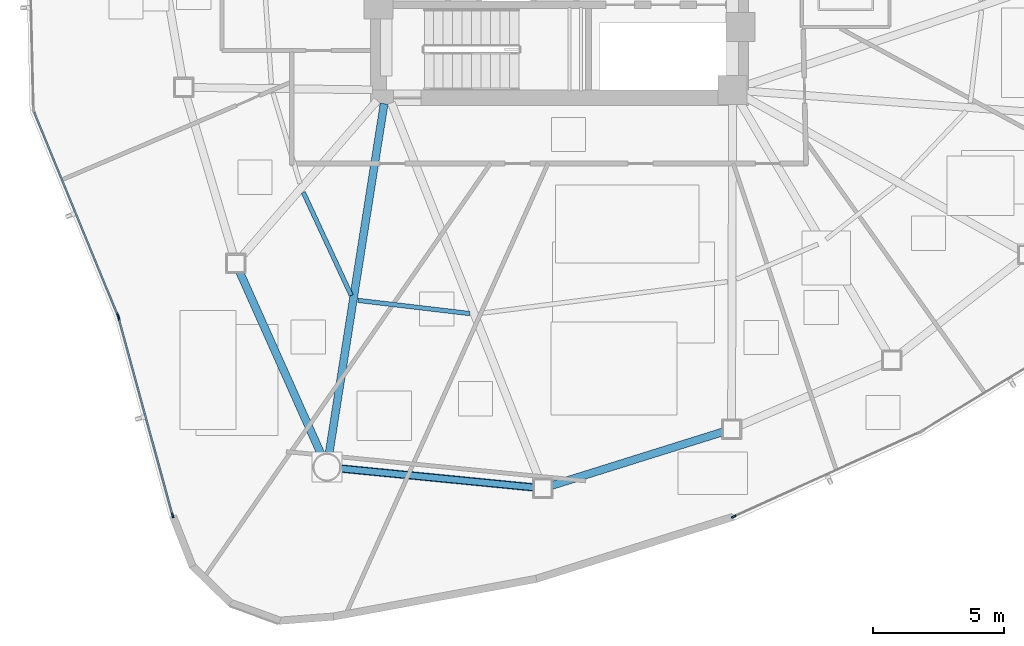
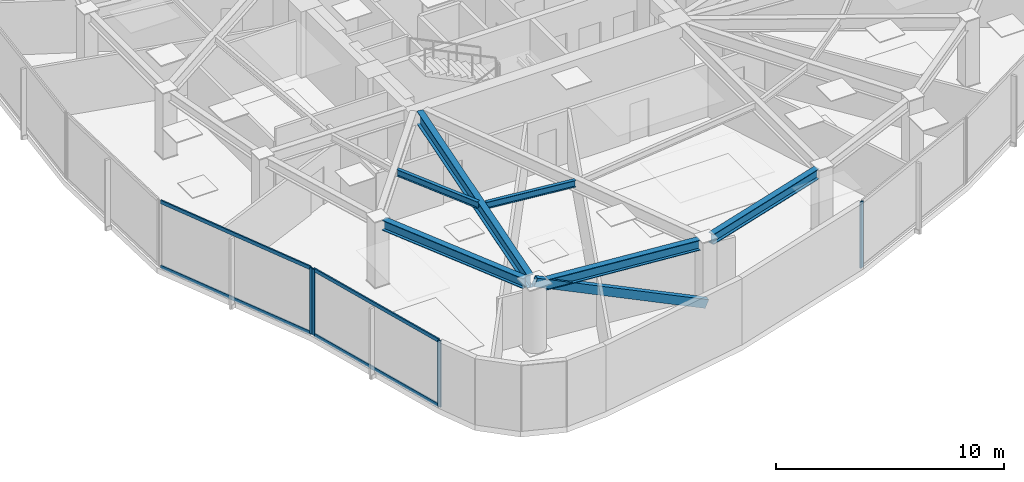
# One storey, part 2 of 17: 9 members, 6 beams, 3 elements without a shape of their own.
"""IFC4 building model written with IfcOpenShell, lengths in metres."""

import ifcopenshell
import ifcopenshell.guid

model = None  # the IFC model being written
_history = None  # IfcOwnerHistory: only IFC2X3 demands one
_inside = {}  # id of a spatial element -> (the spatial element, [elements in it])
_under = {}  # id of a project, library or spatial element -> (it, [spatial elements below it])
_declared = {}  # id of a project -> (the project, [libraries it declares])
_typed = {}  # id of a type object -> (the type object, [elements of that type])
_made_of = {}  # id of a material, layer set ... -> (it, [elements and type objects made of it])


def new_model(schema):
    """Start an empty IFC model of exactly this schema.

    Asked for "IFC4X3", IfcOpenShell would pick the latest addendum, in which some entities
    have other attributes; the version numbers below select the first issue.
    IFC2X3 requires an IfcOwnerHistory on every rooted entity: one is made here for all.
    """
    global model, _history
    if schema == "IFC4X3":
        model = ifcopenshell.file(schema_version=(4, 3, 0, 0))
    else:
        model = ifcopenshell.file(schema=schema)
    _inside.clear()
    _under.clear()
    _declared.clear()
    _typed.clear()
    _made_of.clear()
    _history = None
    if model.schema == "IFC2X3":
        org = make("IfcOrganization", Name="unknown")
        user = make(
            "IfcPersonAndOrganization",
            ThePerson=make("IfcPerson", FamilyName="unknown"),
            TheOrganization=org,
        )
        app = make(
            "IfcApplication",
            ApplicationDeveloper=org,
            Version="unknown",
            ApplicationFullName="unknown",
            ApplicationIdentifier="unknown",
        )
        _history = make(
            "IfcOwnerHistory",
            OwningUser=user,
            OwningApplication=app,
            ChangeAction="ADDED",
            CreationDate=0,
        )
    return model


def make(cls, **values):
    """One entity of the class cls with the attributes given. An attribute that is None is left unset."""
    return model.create_entity(
        cls, **{name: value for name, value in values.items() if value is not None}
    )


def rooted(cls, **values):
    """An entity with a GlobalId (a new one), such as an element, a storey or a relation."""
    return make(cls, GlobalId=ifcopenshell.guid.new(), OwnerHistory=_history, **values)


def si_unit(unit_type, name, prefix=None):
    """IfcSIUnit, for example si_unit("LENGTHUNIT", "METRE", prefix="MILLI")."""
    return make("IfcSIUnit", UnitType=unit_type, Prefix=prefix, Name=name)


def assignment(units):
    """IfcUnitAssignment: the units of a project."""
    return None if units is None else make("IfcUnitAssignment", Units=units)


def point(xyz):
    """IfcCartesianPoint."""
    return None if xyz is None else make("IfcCartesianPoint", Coordinates=xyz)


def direction(xyz):
    """IfcDirection."""
    return None if xyz is None else make("IfcDirection", DirectionRatios=xyz)


def frame(location, z_axis=None, x_axis=None):
    """IfcAxis2Placement3D, a coordinate frame: its origin and axes. An axis left out is left unset."""
    return make(
        "IfcAxis2Placement3D",
        Location=point(location),
        Axis=direction(z_axis),
        RefDirection=direction(x_axis),
    )


def frame_2d(location, x_axis=None):
    """IfcAxis2Placement2D, a coordinate frame in the plane: its origin and x axis."""
    return make(
        "IfcAxis2Placement2D", Location=point(location), RefDirection=direction(x_axis)
    )


def origin():
    """The frame at (0, 0, 0) with its axes left unset."""
    return frame((0.0, 0.0, 0.0))


def origin_2d():
    """The frame at (0, 0) in the plane with its x axis left unset."""
    return frame_2d((0.0, 0.0))


def place(relative_to, where):
    """IfcLocalPlacement: puts the frame where relative to a parent placement (None: the world)."""
    return make(
        "IfcLocalPlacement", PlacementRelTo=relative_to, RelativePlacement=where
    )


def context(
    kind, dimensions, precision=None, world=None, true_north=None, identifier=None
):
    """IfcGeometricRepresentationContext, for example the 3D "Model" context."""
    return make(
        "IfcGeometricRepresentationContext",
        ContextIdentifier=identifier,
        ContextType=kind,
        CoordinateSpaceDimension=dimensions,
        Precision=precision,
        WorldCoordinateSystem=world,
        TrueNorth=true_north,
    )


def subcontext(parent, identifier, kind, view, scale=None):
    """IfcGeometricRepresentationSubContext, for example "Body" below "Model"."""
    return make(
        "IfcGeometricRepresentationSubContext",
        ContextIdentifier=identifier,
        ContextType=kind,
        ParentContext=parent,
        TargetScale=scale,
        TargetView=view,
    )


def project(units=None, contexts=None):
    """IfcProject with its units and contexts."""
    return rooted(
        "IfcProject",
        Name="project",
        RepresentationContexts=contexts,
        UnitsInContext=assignment(units),
    )


def spatial(cls, under=None, at=None, **own):
    """A site, building, storey or space (cls), placed at a placement, below another one or the project."""
    s = rooted(cls, ObjectPlacement=at, **own)
    if under is not None:
        _under.setdefault(under.id(), (under, []))[1].append(s)
    return s


def profile(cls, at=None, kind="AREA", **sizes):
    """A parametric profile (cls). Its sizes go by their IFC names, for example OverallWidth=200.0."""
    return make(cls, ProfileType=kind, Position=at, **sizes)


def hollow_rectangle(**sizes):
    """IfcRectangleHollowProfileDef."""
    return profile("IfcRectangleHollowProfileDef", **sizes)


def i_section(**sizes):
    """IfcIShapeProfileDef."""
    return profile("IfcIShapeProfileDef", **sizes)


def extrude(swept, where, along, depth):
    """IfcExtrudedAreaSolid: the profile swept, set in the frame where, extruded along a direction by depth."""
    return make(
        "IfcExtrudedAreaSolid",
        SweptArea=swept,
        Position=where,
        ExtrudedDirection=direction(along),
        Depth=depth,
    )


def shape(context_of_items, identifier, shape_type, items):
    """IfcShapeRepresentation: the items that make up one representation, for example the "Body"."""
    return make(
        "IfcShapeRepresentation",
        ContextOfItems=context_of_items,
        RepresentationIdentifier=identifier,
        RepresentationType=shape_type,
        Items=items,
    )


def source(mapping_origin, context_of_items, identifier, shape_type, items):
    """IfcRepresentationMap: a shape defined once, which mapped items show again and again."""
    return make(
        "IfcRepresentationMap",
        MappingOrigin=mapping_origin,
        MappedRepresentation=shape(context_of_items, identifier, shape_type, items),
    )


def transform(
    local_origin,
    x_axis=None,
    y_axis=None,
    z_axis=None,
    scale=None,
    scale2=None,
    scale3=None,
    uniform=True,
):
    """IfcCartesianTransformationOperator3D, or its non-uniform kind. x_axis, y_axis, z_axis: its Axis1, 2, 3."""
    if uniform:
        return make(
            "IfcCartesianTransformationOperator3D",
            Axis1=direction(x_axis),
            Axis2=direction(y_axis),
            LocalOrigin=point(local_origin),
            Scale=scale,
            Axis3=direction(z_axis),
        )
    return make(
        "IfcCartesianTransformationOperator3DnonUniform",
        Axis1=direction(x_axis),
        Axis2=direction(y_axis),
        LocalOrigin=point(local_origin),
        Scale=scale,
        Axis3=direction(z_axis),
        Scale2=scale2,
        Scale3=scale3,
    )


def mapped(mapping_source, mapping_target):
    """IfcMappedItem: shows the shape of a source again, moved by a transform."""
    return make(
        "IfcMappedItem", MappingSource=mapping_source, MappingTarget=mapping_target
    )


def material(Name=None, Category=None):
    """IfcMaterial."""
    return make("IfcMaterial", Name=Name, Category=Category)


def layer(
    of_material, thickness, ventilated=None, Name=None, Category=None, Priority=None
):
    """IfcMaterialLayer: one layer of a wall or slab, of a material (None: an air gap)."""
    return make(
        "IfcMaterialLayer",
        Material=of_material,
        LayerThickness=thickness,
        IsVentilated=ventilated,
        Name=Name,
        Category=Category,
        Priority=Priority,
    )


def layer_set(layers, Name=None):
    """IfcMaterialLayerSet."""
    return make("IfcMaterialLayerSet", MaterialLayers=layers, LayerSetName=Name)


def material_profile(
    of_material, cross_section, Name=None, Category=None, Priority=None
):
    """IfcMaterialProfile: a cross section and its material."""
    return make(
        "IfcMaterialProfile",
        Name=Name,
        Material=of_material,
        Profile=cross_section,
        Priority=Priority,
        Category=Category,
    )


def profile_set(profiles, Name=None, composite=None):
    """IfcMaterialProfileSet."""
    return make(
        "IfcMaterialProfileSet",
        Name=Name,
        MaterialProfiles=profiles,
        CompositeProfile=composite,
    )


def made_of(thing, what):
    """Note that an element or type object is made of a material, layer set ...; save() writes the relation."""
    if what is not None:
        _made_of.setdefault(what.id(), (what, []))[1].append(thing)
    return thing


def type_object(cls, material=None, **own):
    """A type object (cls), such as IfcWallType, which elements share."""
    return made_of(rooted(cls, **own), material)


def type_shapes(of_type, sources):
    """Give a type object the sources (RepresentationMaps) that its elements show as mapped items."""
    of_type.RepresentationMaps = sources


def element(
    cls,
    number,
    at=None,
    inside=None,
    cuts=None,
    type_object=None,
    material=None,
    context=None,
    identifier="Body",
    shape_type=None,
    held_by="IfcProductDefinitionShape",
    body=None,
    shapes=None,
    **own,
):
    """One element of the class cls, such as IfcWall. Its Tag is "e" and its number.

    at: its placement. inside: the storey or other place that contains it. cuts: it is an
    opening in that element (IfcRelVoidsElement). A single representation is given by context,
    identifier, shape_type and body (its items); several are given by shapes. held_by: the class
    of the entity that holds the representations. save() writes the other relations.
    """
    e = rooted(cls, Tag="e%d" % number, ObjectPlacement=at, **own)
    if body is not None:
        shapes = [shape(context, identifier, shape_type, body)]
    if shapes is not None:
        e.Representation = make(held_by, Representations=shapes)
    if inside is not None:
        _inside.setdefault(inside.id(), (inside, []))[1].append(e)
    if cuts is not None:
        rooted(
            "IfcRelVoidsElement", RelatingBuildingElement=cuts, RelatedOpeningElement=e
        )
    if type_object is not None:
        _typed.setdefault(type_object.id(), (type_object, []))[1].append(e)
    return made_of(e, material)


def aggregate(whole, parts):
    """IfcRelAggregates: a whole, such as a stair, and the parts it consists of."""
    return rooted("IfcRelAggregates", RelatingObject=whole, RelatedObjects=parts)


def save(model, path):
    """Write the relations noted so far, then the file.

    IfcRelAggregates (storeys below a building ...), IfcRelContainedInSpatialStructure (elements
    in a storey), IfcRelDefinesByType, IfcRelAssociatesMaterial and IfcRelDeclares: one each for
    every whole, place, type object, material and project.
    """
    for whole, parts in _under.values():
        aggregate(whole, parts)
    for where, things in _inside.values():
        rooted(
            "IfcRelContainedInSpatialStructure",
            RelatedElements=things,
            RelatingStructure=where,
        )
    for kind, things in _typed.values():
        rooted("IfcRelDefinesByType", RelatedObjects=things, RelatingType=kind)
    for what, things in _made_of.values():
        rooted("IfcRelAssociatesMaterial", RelatedObjects=things, RelatingMaterial=what)
    for by, libraries in _declared.values():
        rooted("IfcRelDeclares", RelatingContext=by, RelatedDefinitions=libraries)
    model.write(path)


model = new_model("IFC4")

# Units and contexts
model_context = context("Model", 3, precision=1e-05, world=origin(), true_north=direction((0.0, 1.0)))
body_context = subcontext(model_context, "Body", "Model", "MODEL_VIEW")
ifc_project = project(units=[si_unit("LENGTHUNIT", "METRE"), si_unit("AREAUNIT", "SQUARE_METRE"), si_unit("VOLUMEUNIT", "CUBIC_METRE"), si_unit("PLANEANGLEUNIT", "RADIAN"), si_unit("MASSUNIT", "GRAM", prefix="KILO")], contexts=[model_context])

# Site, building, storey
site_placement = place(None, origin())
site = spatial("IfcSite", under=ifc_project, at=site_placement, CompositionType="ELEMENT")
building_placement = place(site_placement, origin())
building = spatial("IfcBuilding", under=site, at=building_placement, Name="Tavelor Broadcast Tower", CompositionType="ELEMENT")
storey_placement = place(building_placement, frame((0.0, 0.0, 150.25)))
storey = spatial("IfcBuildingStorey", under=building, at=storey_placement, Name="L35", CompositionType="ELEMENT", Elevation=150.25)

# Beams
ifc_material_1 = material(Name="Steel S355", Category="steel")
ifc_material_profile_1 = material_profile(ifc_material_1, i_section(OverallWidth=0.169921875, OverallDepth=0.360107421875, WebThickness=0.008056640625, FlangeThickness=0.0126953125, at=origin_2d()), Name="IPE 360")
ifc_profile_set_1 = profile_set([ifc_material_profile_1], Name="Steel S355")
beam_type_1 = type_object("IfcBeamType", Name="Composite Floor Joist T3 IPE 360", PredefinedType="JOIST", material=ifc_profile_set_1)
beam_1_placement = place(storey_placement, frame((40.237548828125, 34.901123046875, 3.3701171875), z_axis=(0.421480014114, -0.906837690936, 0.0), x_axis=(0.906837690936, 0.421480014114, 0.0)))
element("IfcBeam", 1, at=beam_1_placement, inside=storey, type_object=beam_type_1, Name="L35 Secondary Composite Floor Joist 06", PredefinedType="JOIST", context=body_context, shape_type="SweptSolid", body=[
    extrude(i_section(OverallWidth=0.169921875, OverallDepth=0.360107421875, WebThickness=0.008056640625, FlangeThickness=0.0126953125, at=origin_2d()), origin(), (0.0, 0.0, 1.0), 4.337890625),
])
beam_2_placement = place(storey_placement, frame((42.32177734375, 30.781982421875, 3.3701171875), z_axis=(0.993083165759, -0.117413056713, 0.0), x_axis=(0.117413056713, 0.993083165759, 0.0)))
element("IfcBeam", 2, at=beam_2_placement, inside=storey, type_object=beam_type_1, Name="L35 Secondary Composite Floor Joist 07", PredefinedType="JOIST", context=body_context, shape_type="SweptSolid", body=[
    extrude(i_section(OverallWidth=0.169921875, OverallDepth=0.360107421875, WebThickness=0.008056640625, FlangeThickness=0.0126953125, at=origin_2d()), origin(), (0.0, 0.0, 1.0), 4.285400390625),
])
ifc_material_profile_2 = material_profile(ifc_material_1, i_section(OverallWidth=0.300048828125, OverallDepth=0.550048828125, WebThickness=0.014892578125, FlangeThickness=0.029052734375, at=origin_2d()), Name="HEB 550")
ifc_profile_set_2 = profile_set([ifc_material_profile_2], Name="Steel S355")
beam_type_2 = type_object("IfcBeamType", Name="Perimeter Spandrel Beam T3 HEB 550", PredefinedType="SPANDREL", material=ifc_profile_set_2)
beam_3_placement = place(storey_placement, frame((37.80517578125, 31.883544921875, 3.27490234375), z_axis=(0.407977377403, -0.912992036946, 0.0), x_axis=(0.912992036946, 0.407977377403, 0.0)))
element("IfcBeam", 3, at=beam_3_placement, inside=storey, type_object=beam_type_2, Name="L35 Framed-Tube Ring Spandrel 06", PredefinedType="SPANDREL", context=body_context, shape_type="SweptSolid", body=[
    extrude(i_section(OverallWidth=0.300048828125, OverallDepth=0.550048828125, WebThickness=0.014892578125, FlangeThickness=0.029052734375, at=origin_2d()), origin(), (0.0, 0.0, 1.0), 7.658447265625),
])
beam_4_placement = place(storey_placement, frame((41.6484375, 24.373779296875, 3.27490234375), z_axis=(0.995250868203, -0.097343255237, 0.0), x_axis=(0.097343255237, 0.995250868203, 0.0)))
element("IfcBeam", 4, at=beam_4_placement, inside=storey, type_object=beam_type_2, Name="L35 Framed-Tube Ring Spandrel 07", PredefinedType="SPANDREL", context=body_context, shape_type="SweptSolid", body=[
    extrude(i_section(OverallWidth=0.300048828125, OverallDepth=0.550048828125, WebThickness=0.014892578125, FlangeThickness=0.029052734375, at=origin_2d()), origin(), (0.0, 0.0, 1.0), 7.418701171875),
])
beam_5_placement = place(storey_placement, frame((49.68701171875, 23.719482421875, 3.27490234375), z_axis=(0.954271632066, 0.29894088418, 0.0), x_axis=(-0.29894088418, 0.954271632066, 0.0)))
element("IfcBeam", 5, at=beam_5_placement, inside=storey, type_object=beam_type_2, Name="L35 Framed-Tube Ring Spandrel 08", PredefinedType="SPANDREL", context=body_context, shape_type="SweptSolid", body=[
    extrude(i_section(OverallWidth=0.300048828125, OverallDepth=0.550048828125, WebThickness=0.014892578125, FlangeThickness=0.029052734375, at=origin_2d()), origin(), (0.0, 0.0, 1.0), 6.867431640625),
])

# Member
ifc_material_profile_3 = material_profile(ifc_material_1, hollow_rectangle(XDim=0.25, YDim=0.449951171875, WallThickness=0.02001953125, at=origin_2d()), Name="RHS 450x250x20")
ifc_profile_set_3 = profile_set([ifc_material_profile_3], Name="Steel S355")
member_type_1 = type_object("IfcMemberType", Name="Perimeter Tube Brace T3 RHS 450x250x20", PredefinedType="BRACE", material=ifc_profile_set_3)
member_1_placement = place(storey_placement, frame((49.366455078125, 23.618896484375, 0.0), z_axis=(-0.914496364203, 0.089466025126, 0.394578547577), x_axis=(-0.097366094377, -0.995248634094, 0.0)))
element("IfcMember", 6, at=member_1_placement, inside=storey, type_object=member_type_1, Name="L35 Corner Tube Diagonal Brace 2", PredefinedType="BRACE", context=body_context, shape_type="SweptSolid", body=[
    extrude(hollow_rectangle(XDim=0.25, YDim=0.449951171875, WallThickness=0.02001953125, at=origin_2d()), origin(), (0.0, 0.0, 1.0), 8.9970703125),
])

# Beam
ifc_material_profile_4 = material_profile(ifc_material_1, i_section(OverallWidth=0.300048828125, OverallDepth=0.68994140625, WebThickness=0.014404296875, FlangeThickness=0.027099609375, at=origin_2d()), Name="HEA 700")
ifc_profile_set_4 = profile_set([ifc_material_profile_4], Name="Steel S355")
beam_type_3 = type_object("IfcBeamType", Name="Radial Floor Girder T3 HEA 700", PredefinedType="BEAM", material=ifc_profile_set_4)
beam_6_placement = place(storey_placement, frame((43.318115234375, 38.2783203125, 3.205078125), z_axis=(-0.1553975273, -0.987852017515, 0.0), x_axis=(0.987852017515, -0.1553975273, 0.0)))
element("IfcBeam", 7, at=beam_6_placement, inside=storey, type_object=beam_type_3, Name="L35 Radial Primary Floor Girder 07", PredefinedType="BEAM", context=body_context, shape_type="SweptSolid", body=[
    extrude(i_section(OverallWidth=0.300048828125, OverallDepth=0.68994140625, WebThickness=0.014404296875, FlangeThickness=0.027099609375, at=origin_2d()), origin(), (0.0, 0.0, 1.0), 13.5126953125),
])

# Curtain wall, member
ifc_material_2 = material(Name="Architectural Anodized Aluminium", Category="aluminium")
ifc_layer = layer(ifc_material_2, 0.18994140625)
ifc_layer_set = layer_set([ifc_layer], Name="Architectural Anodized Aluminium")
curtain_wall_type = type_object("IfcCurtainWallType", Name="Tower Mid-Zone Acoustic Curtain Wall CW03", PredefinedType="NOTDEFINED", material=ifc_layer_set)
curtain_wall_1_placement = place(storey_placement, origin())
curtain_wall_1 = element("IfcCurtainWall", 8, at=curtain_wall_1_placement, inside=storey, type_object=curtain_wall_type, Name="L35 Curtain Wall CW03 Run 363", PredefinedType="NOTDEFINED")
ifc_material_profile_5 = material_profile(ifc_material_2, hollow_rectangle(XDim=0.068115234375, YDim=0.18994140625, WallThickness=0.02197265625, at=origin_2d()), Name="RHS 68x190x22")
ifc_profile_set_5 = profile_set([ifc_material_profile_5], Name="Architectural Anodized Aluminium")
member_type_2 = type_object("IfcMemberType", Name="CW03 Extruded Aluminium Mullion 68x190", PredefinedType="MULLION", material=ifc_profile_set_5)
shared_shape_1 = source(origin(), body_context, "Body", "SweptSolid", [
    extrude(hollow_rectangle(XDim=0.068115234375, YDim=0.18994140625, WallThickness=0.02197265625, at=origin_2d()), origin(), (0.0, 0.0, 1.0), 3.550048828125),
])
type_shapes(member_type_2, [shared_shape_1])
member_2_placement = place(storey_placement, frame((33.170654296875, 30.207275390625, 0.0), z_axis=(0.0, 0.0, 1.0), x_axis=(0.924839349075, 0.380357960877, 0.0)))
member_2 = element("IfcMember", 9, at=member_2_placement, type_object=member_type_2, Name="CW03 mullion 2", PredefinedType="MULLION", context=body_context, shape_type="MappedRepresentation", body=[
    mapped(shared_shape_1, transform((0.0, 0.0, 0.0), scale=1.0)),
])

# Curtain wall, members
curtain_wall_2_placement = place(storey_placement, origin())
curtain_wall_2 = element("IfcCurtainWall", 10, at=curtain_wall_2_placement, inside=storey, type_object=curtain_wall_type, Name="L35 Curtain Wall CW03 Run 364", PredefinedType="NOTDEFINED")
member_3_placement = place(storey_placement, frame((33.2021484375, 30.11474609375, 0.0), z_axis=(0.0, 0.0, 1.0), x_axis=(0.964663779756, 0.263483950228, 0.0)))
member_3 = element("IfcMember", 11, at=member_3_placement, type_object=member_type_2, Name="CW03 mullion 1", PredefinedType="MULLION", context=body_context, shape_type="MappedRepresentation", body=[
    mapped(shared_shape_1, transform((0.0, 0.0, 0.0), scale=1.0)),
])
member_4_placement = place(storey_placement, frame((35.25830078125, 22.5869140625, 0.0), z_axis=(0.0, 0.0, 1.0), x_axis=(0.964663779756, 0.263483950228, 0.0)))
member_4 = element("IfcMember", 12, at=member_4_placement, type_object=member_type_2, Name="CW03 mullion 2", PredefinedType="MULLION", context=body_context, shape_type="MappedRepresentation", body=[
    mapped(shared_shape_1, transform((0.0, 0.0, 0.0), scale=1.0)),
])

# Curtain wall, member
curtain_wall_3_placement = place(storey_placement, origin())
curtain_wall_3 = element("IfcCurtainWall", 13, at=curtain_wall_3_placement, inside=storey, type_object=curtain_wall_type, Name="L35 Curtain Wall CW03 Run 365", PredefinedType="NOTDEFINED")
member_5_placement = place(storey_placement, frame((56.643798828125, 22.53955078125, 0.0), z_axis=(0.0, 0.0, 1.0), x_axis=(-0.413509353363, 0.910499870775, 0.0)))
member_5 = element("IfcMember", 14, at=member_5_placement, type_object=member_type_2, Name="CW03 mullion 1", PredefinedType="MULLION", context=body_context, shape_type="MappedRepresentation", body=[
    mapped(shared_shape_1, transform((0.0, 0.0, 0.0), scale=1.0)),
])
aggregate(curtain_wall_3, [member_5])

# Member
ifc_material_profile_6 = material_profile(ifc_material_2, hollow_rectangle(XDim=0.068115234375, YDim=0.18994140625, WallThickness=0.02197265625, at=origin_2d()), Name="RHS 68x190x22")
ifc_profile_set_6 = profile_set([ifc_material_profile_6], Name="Architectural Anodized Aluminium")
member_type_3 = type_object("IfcMemberType", Name="CW03 Extruded Aluminium Transom 68x190", PredefinedType="USERDEFINED", material=ifc_profile_set_6)
shared_shape_2 = source(origin(), body_context, "Body", "SweptSolid", [
    extrude(hollow_rectangle(XDim=0.068115234375, YDim=0.18994140625, WallThickness=0.02197265625, at=origin_2d()), origin(), (0.0, 0.0, 1.0), 7.7353515625),
])
member_6_placement = place(storey_placement, frame((33.211181640625, 30.081787109375, 0.033935546875), z_axis=(0.263480594334, -0.964664696363, 0.0), x_axis=(0.964664696363, 0.263480594334, 0.0)))
member_6 = element("IfcMember", 15, at=member_6_placement, type_object=member_type_3, Name="CW03 transom 1.1", ObjectType="TRANSOM", PredefinedType="USERDEFINED", context=body_context, shape_type="MappedRepresentation", body=[
    mapped(shared_shape_2, transform((0.0, 0.0, 0.0), scale=1.0)),
])

member_7_placement = place(storey_placement, frame((33.211181640625, 30.081787109375, 3.51611328125), z_axis=(0.263480594334, -0.964664696363, 0.0), x_axis=(0.964664696363, 0.263480594334, 0.0)))
member_7 = element("IfcMember", 16, at=member_7_placement, type_object=member_type_3, Name="CW03 transom 1.2", ObjectType="TRANSOM", PredefinedType="USERDEFINED", context=body_context, shape_type="MappedRepresentation", body=[
    mapped(shared_shape_2, transform((0.0, 0.0, 0.0), scale=1.0)),
])

aggregate(curtain_wall_2, [member_3, member_4, member_6, member_7])

shared_shape_3 = source(origin(), body_context, "Body", "SweptSolid", [
    extrude(hollow_rectangle(XDim=0.068115234375, YDim=0.18994140625, WallThickness=0.02197265625, at=origin_2d()), origin(), (0.0, 0.0, 1.0), 8.336181640625),
])
type_shapes(member_type_3, [shared_shape_2, shared_shape_3])
member_8_placement = place(storey_placement, frame((29.987060546875, 37.948486328125, 0.033935546875), z_axis=(0.380346167285, -0.924844199329, 0.0), x_axis=(0.924844199329, 0.380346167285, 0.0)))
member_8 = element("IfcMember", 17, at=member_8_placement, type_object=member_type_3, Name="CW03 transom 1.1", ObjectType="TRANSOM", PredefinedType="USERDEFINED", context=body_context, shape_type="MappedRepresentation", body=[
    mapped(shared_shape_3, transform((0.0, 0.0, 0.0), scale=1.0)),
])

member_9_placement = place(storey_placement, frame((29.987060546875, 37.948486328125, 3.51611328125), z_axis=(0.380346167285, -0.924844199329, 0.0), x_axis=(0.924844199329, 0.380346167285, 0.0)))
member_9 = element("IfcMember", 18, at=member_9_placement, type_object=member_type_3, Name="CW03 transom 1.2", ObjectType="TRANSOM", PredefinedType="USERDEFINED", context=body_context, shape_type="MappedRepresentation", body=[
    mapped(shared_shape_3, transform((0.0, 0.0, 0.0), scale=1.0)),
])

aggregate(curtain_wall_1, [member_2, member_8, member_9])

save(model, "model.ifc")
